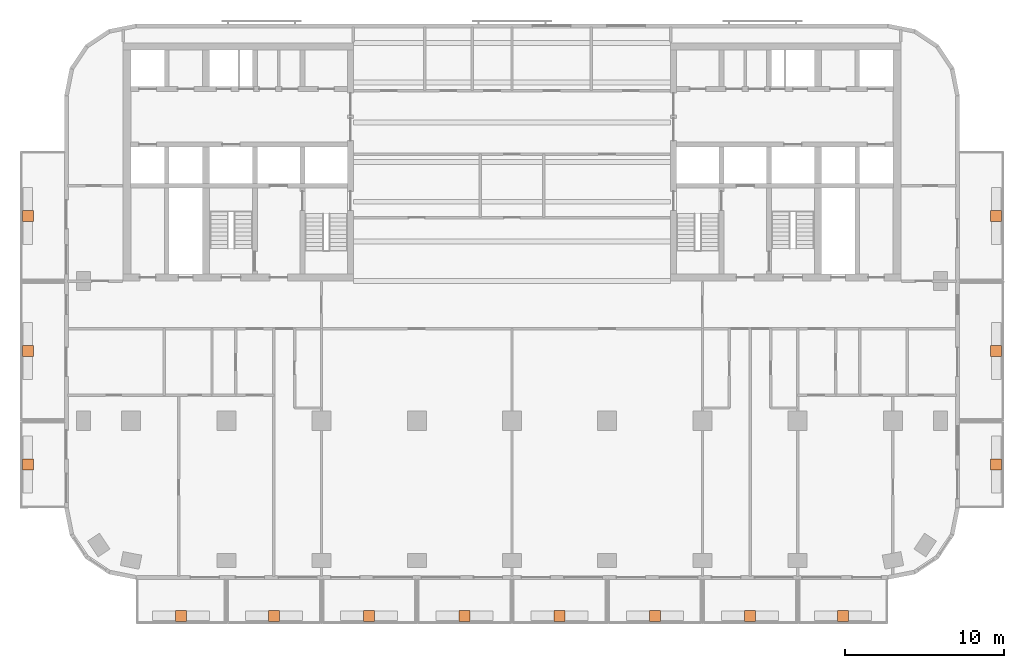
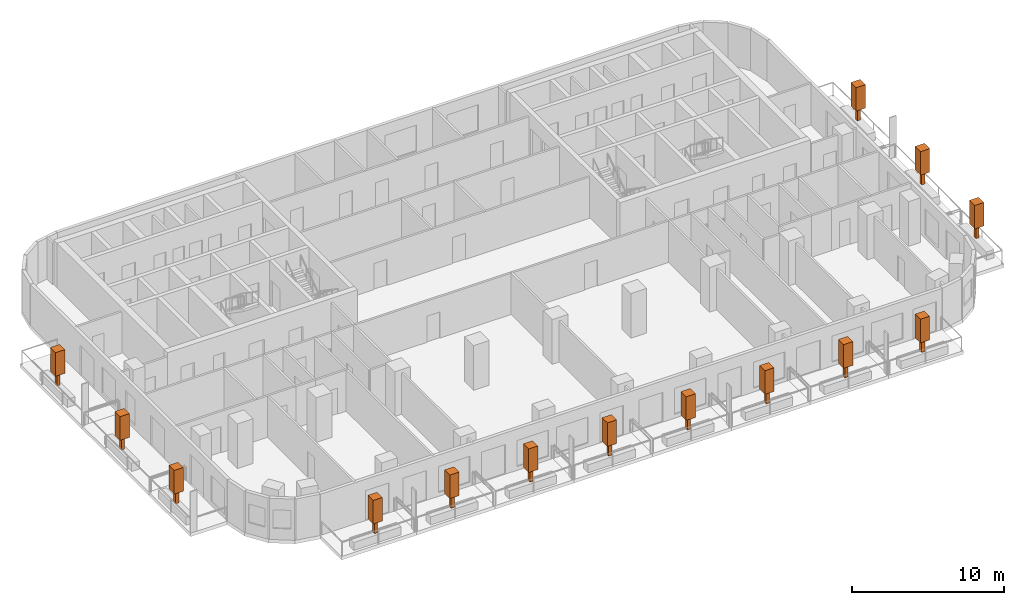
# One storey, part 11 of 11: 14 geographic elements.
"""IFC4 building model written with IfcOpenShell, lengths in metres."""

from ifc_helpers import new_model, si_unit, direction, frame, origin, origin_2d, place, context, subcontext, project, spatial, rectangle, extrude, material, element, save


model = new_model("IFC4")

# Units and contexts
model_context = context("Model", 3, precision=1e-05, world=origin(), true_north=direction((0.0, 1.0)))
body_context = subcontext(model_context, "Body", "Model", "MODEL_VIEW")
ifc_project = project(units=[si_unit("LENGTHUNIT", "METRE"), si_unit("AREAUNIT", "SQUARE_METRE"), si_unit("VOLUMEUNIT", "CUBIC_METRE"), si_unit("PLANEANGLEUNIT", "RADIAN"), si_unit("MASSUNIT", "GRAM", prefix="KILO")], contexts=[model_context])

# Site, building, storey
site_placement = place(None, origin())
site = spatial("IfcSite", under=ifc_project, at=site_placement, CompositionType="ELEMENT")
building_placement = place(site_placement, origin())
building = spatial("IfcBuilding", under=site, at=building_placement, Name="Torana Hotel and Residences", CompositionType="ELEMENT")
storey_placement = place(building_placement, frame((0.0, 0.0, 127.199951171875)))
storey = spatial("IfcBuildingStorey", under=building, at=storey_placement, Name="L32", CompositionType="ELEMENT", Elevation=127.199951171875)

# Geographic elements
ifc_material = material(Name="Foliage", Category="planting")
for number, where, z_axis, x_axis, name in (
    (1, (-20.85009765625, -36.10009765625, 0.650146484375), (0.0, 0.0, 1.0), (1.0, 0.0, 0.0), "Tree 01"),
    (2, (-15.0, -36.10009765625, 0.650146484375), (0.0, 0.0, 1.0), (1.0, 0.0, 0.0), "Tree 02"),
    (3, (-9.0, -36.10009765625, 0.650146484375), (0.0, 0.0, 1.0), (1.0, 0.0, 0.0), "Tree 03"),
    (4, (-3.0, -36.10009765625, 0.650146484375), (0.0, 0.0, 1.0), (1.0, 0.0, 0.0), "Tree 04"),
    (5, (3.0, -36.10009765625, 0.650146484375), (0.0, 0.0, 1.0), (1.0, 0.0, 0.0), "Tree 05"),
    (6, (9.0, -36.10009765625, 0.650146484375), (0.0, 0.0, 1.0), (1.0, 0.0, 0.0), "Tree 06"),
    (7, (15.0, -36.10009765625, 0.650146484375), (0.0, 0.0, 1.0), (1.0, 0.0, 0.0), "Tree 07"),
    (8, (20.85009765625, -36.10009765625, 0.650146484375), (0.0, 0.0, 1.0), (1.0, 0.0, 0.0), "Tree 08"),
    (9, (-30.5, -26.550048828125, 0.650146484375), (0.0, 0.0, 1.0), (1.0, 0.0, 0.0), "Tree 09"),
    (10, (-30.5, -19.39990234375, 0.650146484375), (0.0, 0.0, 1.0), (1.0, 0.0, 0.0), "Tree 10"),
    (11, (-30.5, -10.89990234375, 0.650146484375), (0.0, 0.0, 1.0), (1.0, 0.0, 0.0), "Tree 11"),
    (12, (30.5, -26.550048828125, 0.650146484375), (0.0, 0.0, 1.0), (1.0, 0.0, 0.0), "Tree 12"),
    (13, (30.5, -19.39990234375, 0.650146484375), (0.0, 0.0, 1.0), (1.0, 0.0, 0.0), "Tree 13"),
    (14, (30.5, -10.89990234375, 0.650146484375), (0.0, 0.0, 1.0), (1.0, 0.0, 0.0), "Tree 14"),
):
    element("IfcGeographicElement", number, at=place(storey_placement, frame(where, z_axis=z_axis, x_axis=x_axis)), inside=storey, material=ifc_material, Name=name, ObjectType="TREE", PredefinedType="USERDEFINED", context=body_context, shape_type="SweptSolid", body=[
        extrude(rectangle(XDim=0.25, YDim=0.25, at=origin_2d()), origin(), (0.0, 0.0, 1.0), 1.0),
        extrude(rectangle(XDim=0.699951171875, YDim=0.699951171875, at=origin_2d()), frame((0.0, 0.0, 1.0)), (0.0, 0.0, 1.0), 1.89990234375),
    ])

save(model, "model.ifc")
